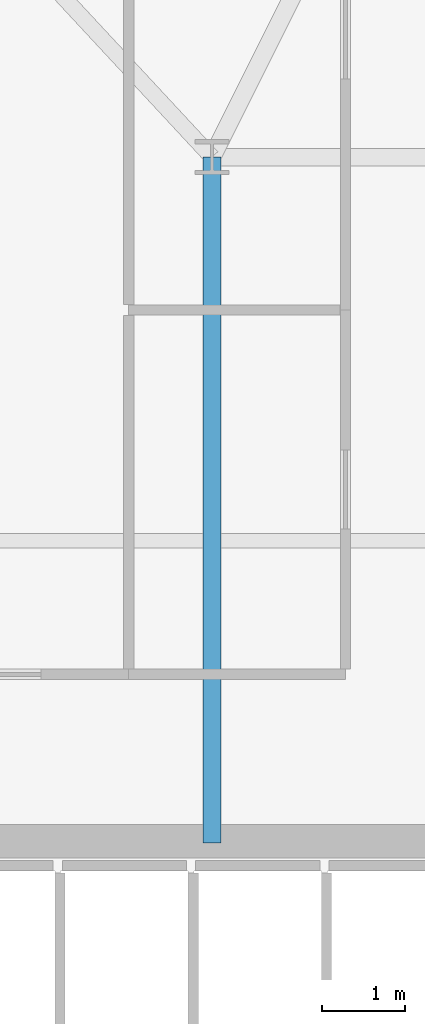
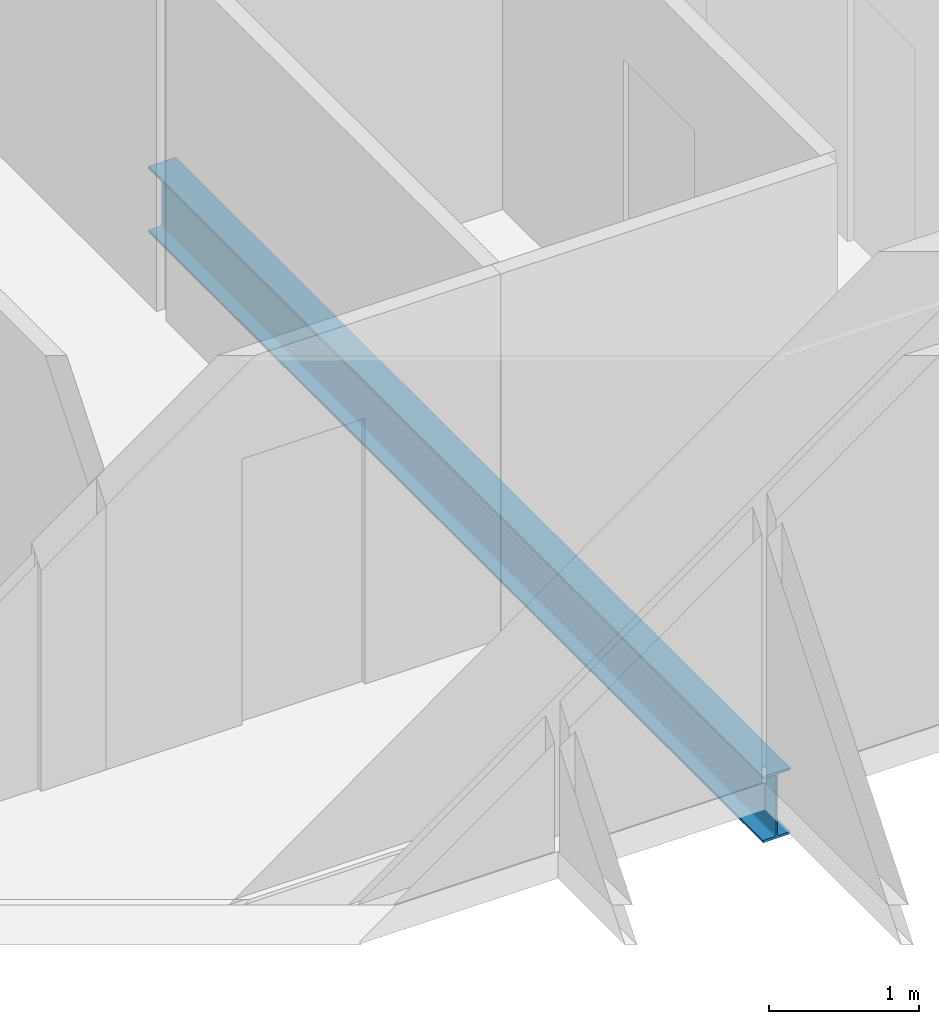
# One storey, part 6 of 33: 1 beam.
"""IFC4 building model written with IfcOpenShell, lengths in metres."""

from ifc_helpers import new_model, si_unit, direction, frame, origin, origin_2d, place, context, subcontext, project, spatial, i_section, extrude, material, material_profile, profile_set, type_object, element, save


model = new_model("IFC4")

# Units and contexts
model_context = context("Model", 3, precision=1e-05, world=origin(), true_north=direction((0.0, 1.0)))
body_context = subcontext(model_context, "Body", "Model", "MODEL_VIEW")
ifc_project = project(units=[si_unit("LENGTHUNIT", "METRE"), si_unit("AREAUNIT", "SQUARE_METRE"), si_unit("VOLUMEUNIT", "CUBIC_METRE"), si_unit("PLANEANGLEUNIT", "RADIAN"), si_unit("MASSUNIT", "GRAM", prefix="KILO")], contexts=[model_context])

# Site, building, storey
site_placement = place(None, origin())
site = spatial("IfcSite", under=ifc_project, at=site_placement, CompositionType="ELEMENT")
building_placement = place(site_placement, origin())
building = spatial("IfcBuilding", under=site, at=building_placement, Name="Ndaravel Arena Tower", CompositionType="ELEMENT")
storey_placement = place(building_placement, frame((0.0, 0.0, 165.0)))
storey = spatial("IfcBuildingStorey", under=building, at=storey_placement, Name="L39", CompositionType="ELEMENT", Elevation=165.0)

# Beam
ifc_material = material(Name="Steel S355", Category="steel")
ifc_material_profile = material_profile(ifc_material, i_section(OverallWidth=0.210693359375, OverallDepth=0.53955078125, WebThickness=0.01171875, FlangeThickness=0.018798828125, FilletRadius=0.0126953125, at=origin_2d()), Name="UB 533x210x109")
ifc_profile_set = profile_set([ifc_material_profile], Name="Steel S355")
beam_type = type_object("IfcBeamType", Name="BM-GIRD-UB533", PredefinedType="BEAM", material=ifc_profile_set)
beam_placement = place(storey_placement, frame((34.199951171875, 14.97998046875, -0.48974609375), z_axis=(0.0, 1.0, 0.0), x_axis=(-1.0, 0.0, 0.0)))
element("IfcBeam", 1, at=beam_placement, inside=storey, type_object=beam_type, Name="L39 Spine Link Girder SLG-01", PredefinedType="BEAM", context=body_context, shape_type="SweptSolid", body=[
    extrude(i_section(OverallWidth=0.210693359375, OverallDepth=0.53955078125, WebThickness=0.01171875, FlangeThickness=0.018798828125, FilletRadius=0.0126953125, at=origin_2d()), origin(), (0.0, 0.0, 1.0), 8.219970703125),
])

save(model, "model.ifc")
